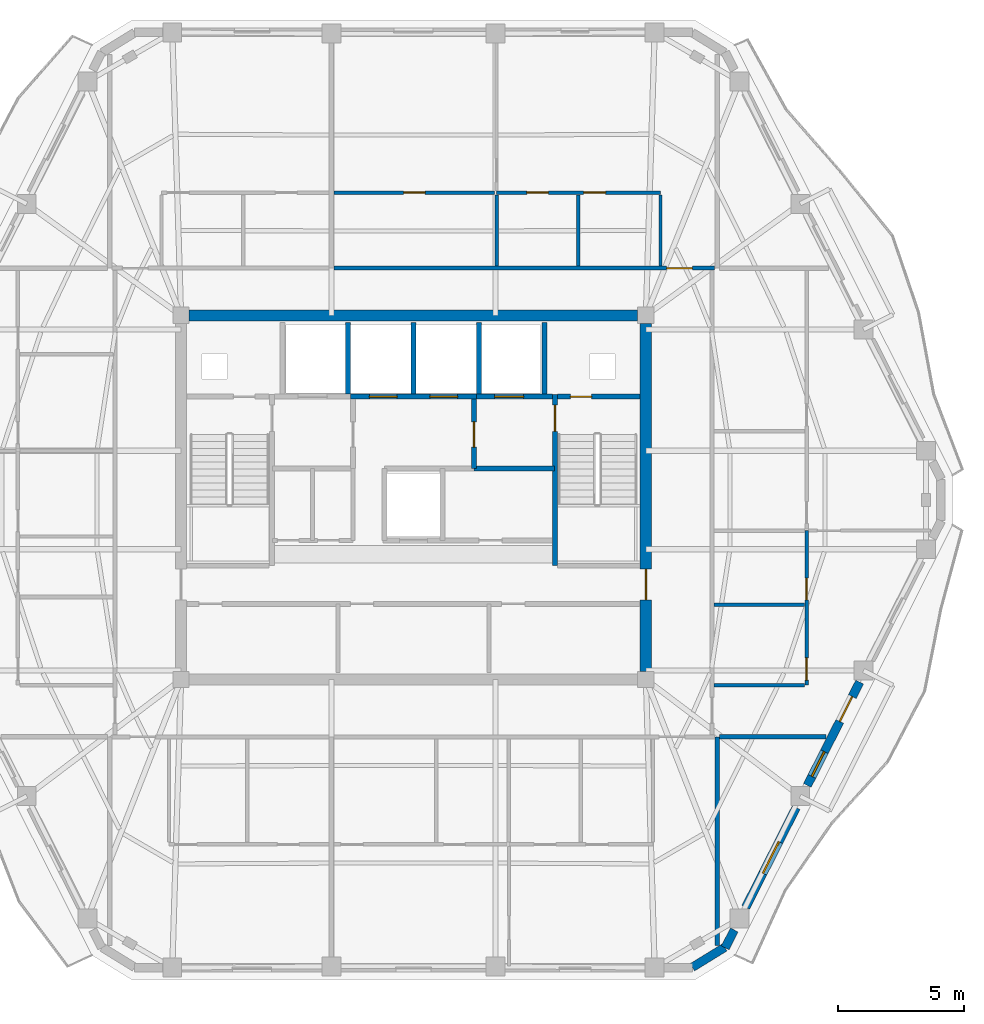
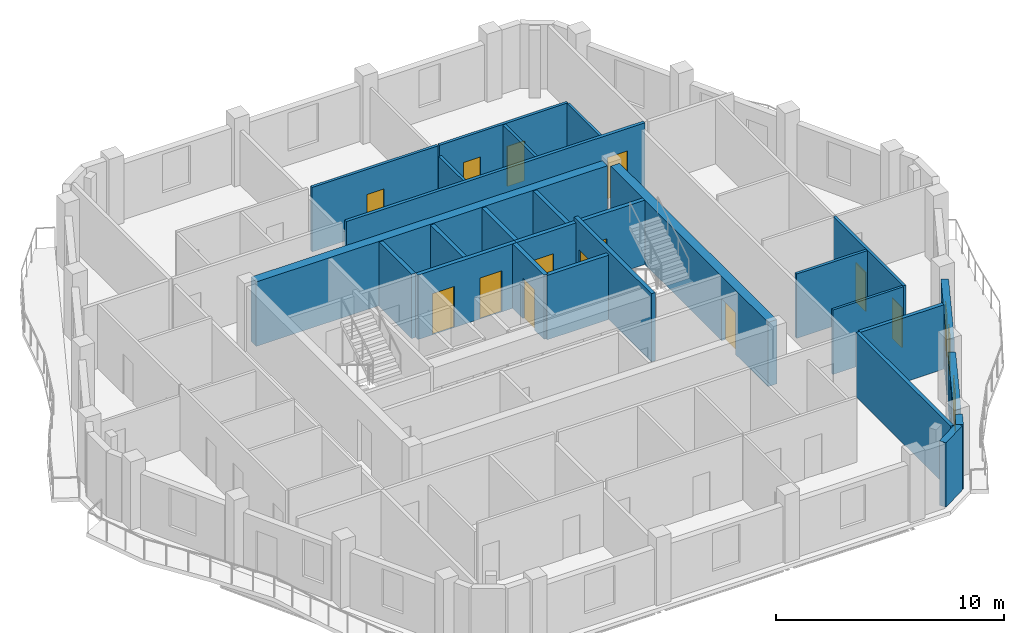
# One storey, part 6 of 12: 27 walls, 14 doors, 2 windows, 16 openings.
"""IFC4 building model written with IfcOpenShell, lengths in metres."""

from ifc_helpers import new_model, si_unit, direction, frame, frame_2d, origin, place, context, subcontext, project, spatial, rectangle, extrude, material, layer, layer_set, type_object, element, fill, save


model = new_model("IFC4")

# Units and contexts
model_context = context("Model", 3, precision=1e-05, world=origin(), true_north=direction((0.0, 1.0)))
body_context = subcontext(model_context, "Body", "Model", "MODEL_VIEW")
ifc_project = project(units=[si_unit("LENGTHUNIT", "METRE"), si_unit("AREAUNIT", "SQUARE_METRE"), si_unit("VOLUMEUNIT", "CUBIC_METRE"), si_unit("PLANEANGLEUNIT", "RADIAN"), si_unit("MASSUNIT", "GRAM", prefix="KILO")], contexts=[model_context])

# Site, building, storey
site_placement = place(None, origin())
site = spatial("IfcSite", under=ifc_project, at=site_placement, CompositionType="ELEMENT")
building_placement = place(site_placement, origin())
building = spatial("IfcBuilding", under=site, at=building_placement, Name="Cinnabar Lancet Tower", CompositionType="ELEMENT")
storey_placement = place(building_placement, frame((0.0, 0.0, 237.949951171875)))
storey = spatial("IfcBuildingStorey", under=building, at=storey_placement, Name="L63", CompositionType="ELEMENT", Elevation=237.949951171875)

# Wall, opening, door
ifc_material_1 = material(Name="Acoustic twin-stud gypsum partition", Category="gypsum")
ifc_layer_1 = layer(ifc_material_1, 0.159912109375)
ifc_layer_set_1 = layer_set([ifc_layer_1], Name="Acoustic twin-stud gypsum partition")
wall_type_1 = type_object("IfcWallType", Name="ARC-WL-CORR-160", PredefinedType="PARTITIONING", material=ifc_layer_set_1)
wall_1_placement = place(storey_placement, frame((29.240966796875, 35.0, 0.0), z_axis=(0.0, 0.0, 1.0), x_axis=(1.0, 0.0, 0.0)))
wall_1 = element("IfcWall", 1, at=wall_1_placement, inside=storey, type_object=wall_type_1, Name="L63 Unit N02 Corridor Wall", PredefinedType="PARTITIONING", context=body_context, shape_type="SweptSolid", body=[
    extrude(rectangle(XDim=15.114013671875, YDim=0.159912109375, at=frame_2d((7.55712890625, 0.0))), origin(), (0.0, 0.0, 1.0), 3.449951171875),
])
opening_1_placement = place(wall_1_placement, frame((13.208984375, 0.0, 0.0)))
opening_1 = element("IfcOpeningElement", 2, at=opening_1_placement, cuts=wall_1, Name="Opening UD-01", PredefinedType="OPENING", context=body_context, shape_type="SweptSolid", body=[
    extrude(rectangle(XDim=1.02001953125, YDim=2.25, at=frame_2d((0.510009765625, 1.125))), frame((0.0, 0.08984375, 0.0), z_axis=(0.0, -1.0, 0.0), x_axis=(1.0, 0.0, 0.0)), (0.0, 0.0, 1.0), 0.179931640625),
])
ifc_material_2 = material(Name="Solid timber fire-rated apartment entrance door", Category="wood")
door_type_1 = type_object("IfcDoorType", Name="ARC-DR-UNIT", OperationType="NOTDEFINED", PredefinedType="DOOR", material=ifc_material_2)
door_1_placement = place(opening_1_placement, origin())
door_1 = element("IfcDoor", 3, at=door_1_placement, inside=storey, type_object=door_type_1, Name="DR-L63-N02-ENT", OperationType="SINGLE_SWING_LEFT", OverallHeight=2.25, OverallWidth=1.02001953125, PredefinedType="DOOR", context=body_context, shape_type="SweptSolid", body=[
    extrude(rectangle(XDim=1.02001953125, YDim=2.25, at=frame_2d((0.510009765625, 1.125))), frame((0.0, 0.02490234375, 0.0), z_axis=(0.0, -1.0, 0.0), x_axis=(1.0, 0.0, 0.0)), (0.0, 0.0, 1.0), 0.050048828125),
])
fill(opening_1, door_1)

# Walls
ifc_material_3 = material(Name="Fire-rated twin-frame acoustic drywall", Category="gypsum")
ifc_layer_2 = layer(ifc_material_3, 0.179931640625)
ifc_layer_set_2 = layer_set([ifc_layer_2], Name="Fire-rated twin-frame acoustic drywall")
wall_type_2 = type_object("IfcWallType", Name="ARC-WL-PARTY-180", PredefinedType="PARTITIONING", material=ifc_layer_set_2)
wall_2_placement = place(storey_placement, frame((44.449951171875, 8.118896484375, 0.0), z_axis=(0.0, 0.0, 1.0), x_axis=(0.0, 1.0, 0.0)))
element("IfcWall", 4, at=wall_2_placement, inside=storey, type_object=wall_type_2, Name="PW-L63-SPTY-444", PredefinedType="PARTITIONING", context=body_context, shape_type="SweptSolid", body=[
    extrude(rectangle(XDim=8.281005859375, YDim=0.179931640625, at=frame_2d((4.140625, 0.0))), origin(), (0.0, 0.0, 1.0), 3.449951171875),
])
wall_3_placement = place(storey_placement, frame((44.544921875, 16.39990234375, 0.0), z_axis=(0.0, 0.0, 1.0), x_axis=(1.0, 0.0, 0.0)))
element("IfcWall", 5, at=wall_3_placement, inside=storey, type_object=wall_type_2, Name="PW-L63-ESB", PredefinedType="PARTITIONING", context=body_context, shape_type="SweptSolid", body=[
    extrude(rectangle(XDim=4.22119140625, YDim=0.179931640625, at=frame_2d((2.110595703125, 0.0))), origin(), (0.0, 0.0, 1.0), 3.449951171875),
])

# Wall, openings, doors
ifc_material_4 = material(Name="Autoclaved aerated concrete blockwork", Category="masonry")
ifc_layer_3 = layer(ifc_material_4, 0.199951171875)
ifc_layer_set_3 = layer_set([ifc_layer_3], Name="Autoclaved aerated concrete blockwork")
wall_type_3 = type_object("IfcWallType", Name="ARC-WL-SHAFT-200", PredefinedType="PLUMBINGWALL", material=ifc_layer_set_3)
wall_4_placement = place(storey_placement, frame((29.89990234375, 29.89990234375, 0.0), z_axis=(0.0, 0.0, 1.0), x_axis=(1.0, 0.0, 0.0)))
wall_4 = element("IfcWall", 6, at=wall_4_placement, inside=storey, type_object=wall_type_3, Name="CW-PL78-L63", PredefinedType="PLUMBINGWALL", context=body_context, shape_type="SweptSolid", body=[
    extrude(rectangle(XDim=5.0, YDim=0.199951171875, at=frame_2d((2.5, 0.0))), origin(), (0.0, 0.0, 1.0), 3.449951171875),
])
opening_2_placement = place(wall_4_placement, frame((0.75, 0.0, 0.0)))
opening_2 = element("IfcOpeningElement", 7, at=opening_2_placement, cuts=wall_4, Name="Opening LD-01", PredefinedType="OPENING", context=body_context, shape_type="SweptSolid", body=[
    extrude(rectangle(XDim=1.10009765625, YDim=2.199951171875, at=frame_2d((0.550048828125, 1.10009765625))), frame((0.0, 0.10986328125, 0.0), z_axis=(0.0, -1.0, 0.0), x_axis=(1.0, 0.0, 0.0)), (0.0, 0.0, 1.0), 0.219970703125),
])
opening_3_placement = place(wall_4_placement, frame((3.14990234375, 0.0, 0.0)))
opening_3 = element("IfcOpeningElement", 8, at=opening_3_placement, cuts=wall_4, Name="Opening LD-01", PredefinedType="OPENING", context=body_context, shape_type="SweptSolid", body=[
    extrude(rectangle(XDim=1.10009765625, YDim=2.199951171875, at=frame_2d((0.550048828125, 1.10009765625))), frame((0.0, 0.10986328125, 0.0), z_axis=(0.0, -1.0, 0.0), x_axis=(1.0, 0.0, 0.0)), (0.0, 0.0, 1.0), 0.219970703125),
])
ifc_material_5 = material(Name="Brushed stainless steel sliding lift door", Category="steel")
door_type_2 = type_object("IfcDoorType", Name="ARC-DR-LD-PASS", OperationType="NOTDEFINED", PredefinedType="DOOR", material=ifc_material_5)
door_2_placement = place(opening_2_placement, origin())
door_2 = element("IfcDoor", 9, at=door_2_placement, inside=storey, type_object=door_type_2, Name="L63 Lift PL-7 Landing Door", OperationType="DOUBLE_DOOR_SLIDING", OverallHeight=2.199951171875, OverallWidth=1.10009765625, PredefinedType="DOOR", context=body_context, shape_type="SweptSolid", body=[
    extrude(rectangle(XDim=1.10009765625, YDim=2.199951171875, at=frame_2d((0.550048828125, 1.10009765625))), frame((0.0, 0.02490234375, 0.0), z_axis=(0.0, -1.0, 0.0), x_axis=(1.0, 0.0, 0.0)), (0.0, 0.0, 1.0), 0.050048828125),
])
fill(opening_2, door_2)
door_3_placement = place(opening_3_placement, origin())
door_3 = element("IfcDoor", 10, at=door_3_placement, inside=storey, type_object=door_type_2, Name="L63 Lift PL-8 Landing Door", OperationType="DOUBLE_DOOR_SLIDING", OverallHeight=2.199951171875, OverallWidth=1.10009765625, PredefinedType="DOOR", context=body_context, shape_type="SweptSolid", body=[
    extrude(rectangle(XDim=1.10009765625, YDim=2.199951171875, at=frame_2d((0.550048828125, 1.10009765625))), frame((0.0, 0.02490234375, 0.0), z_axis=(0.0, -1.0, 0.0), x_axis=(1.0, 0.0, 0.0)), (0.0, 0.0, 1.0), 0.050048828125),
])
fill(opening_3, door_3)

# Wall, opening, door
wall_5_placement = place(storey_placement, frame((34.89990234375, 29.89990234375, 0.0), z_axis=(0.0, 0.0, 1.0), x_axis=(1.0, 0.0, 0.0)))
wall_5 = element("IfcWall", 11, at=wall_5_placement, inside=storey, type_object=wall_type_3, Name="CW-FL2-L63", PredefinedType="PLUMBINGWALL", context=body_context, shape_type="SweptSolid", body=[
    extrude(rectangle(XDim=3.01513671875, YDim=0.199951171875, at=frame_2d((1.507568359375, 0.0))), origin(), (0.0, 0.0, 1.0), 3.449951171875),
])
opening_4_placement = place(wall_5_placement, frame((0.72509765625, 0.0, 0.0)))
opening_4 = element("IfcOpeningElement", 12, at=opening_4_placement, cuts=wall_5, Name="Opening LD-02", PredefinedType="OPENING", context=body_context, shape_type="SweptSolid", body=[
    extrude(rectangle(XDim=1.14990234375, YDim=2.199951171875, at=frame_2d((0.574951171875, 1.10009765625))), frame((0.0, 0.10986328125, 0.0), z_axis=(0.0, -1.0, 0.0), x_axis=(1.0, 0.0, 0.0)), (0.0, 0.0, 1.0), 0.219970703125),
])
ifc_material_6 = material(Name="Fire-rated stainless steel firefighting lift landing door", Category="steel")
door_type_3 = type_object("IfcDoorType", Name="ARC-DR-LD-FIRE", OperationType="NOTDEFINED", PredefinedType="DOOR", material=ifc_material_6)
door_4_placement = place(opening_4_placement, origin())
door_4 = element("IfcDoor", 13, at=door_4_placement, inside=storey, type_object=door_type_3, Name="L63 Firefighting Lift FL-2 Landing Door", OperationType="DOUBLE_DOOR_SLIDING", OverallHeight=2.199951171875, OverallWidth=1.14990234375, PredefinedType="DOOR", context=body_context, shape_type="SweptSolid", body=[
    extrude(rectangle(XDim=1.14990234375, YDim=2.199951171875, at=frame_2d((0.574951171875, 1.10009765625))), frame((0.0, 0.02490234375, 0.0), z_axis=(0.0, -1.0, 0.0), x_axis=(1.0, 0.0, 0.0)), (0.0, 0.0, 1.0), 0.050048828125),
])
fill(opening_4, door_4)

wall_6_placement = place(storey_placement, frame((38.125, 29.89990234375, 0.0), z_axis=(0.0, 0.0, 1.0), x_axis=(1.0, 0.0, 0.0)))
wall_6 = element("IfcWall", 14, at=wall_6_placement, inside=storey, type_object=wall_type_3, Name="CW-NSH-E-L63", PredefinedType="PLUMBINGWALL", context=body_context, shape_type="SweptSolid", body=[
    extrude(rectangle(XDim=3.27001953125, YDim=0.199951171875, at=frame_2d((1.635009765625, 0.0))), origin(), (0.0, 0.0, 1.0), 3.449951171875),
])
opening_5_placement = place(wall_6_placement, frame((0.5, 0.0, 0.0)))
opening_5 = element("IfcOpeningElement", 15, at=opening_5_placement, cuts=wall_6, Name="Opening PD-02", PredefinedType="OPENING", context=body_context, shape_type="SweptSolid", body=[
    extrude(rectangle(XDim=0.85009765625, YDim=2.050048828125, at=frame_2d((0.425048828125, 1.02490234375))), frame((0.0, 0.10986328125, 0.0), z_axis=(0.0, -1.0, 0.0), x_axis=(1.0, 0.0, 0.0)), (0.0, 0.0, 1.0), 0.219970703125),
])
ifc_material_7 = material(Name="Fire-rated steel riser access door", Category="steel")
door_type_4 = type_object("IfcDoorType", Name="ARC-DR-RISER", OperationType="NOTDEFINED", PredefinedType="DOOR", material=ifc_material_7)
door_5_placement = place(opening_5_placement, origin())
door_5 = element("IfcDoor", 16, at=door_5_placement, inside=storey, type_object=door_type_4, Name="L63 East Riser Access Door", OperationType="SINGLE_SWING_RIGHT", OverallHeight=2.050048828125, OverallWidth=0.85009765625, PredefinedType="DOOR", context=body_context, shape_type="SweptSolid", body=[
    extrude(rectangle(XDim=0.85009765625, YDim=2.050048828125, at=frame_2d((0.425048828125, 1.02490234375))), frame((0.0, 0.02490234375, 0.0), z_axis=(0.0, -1.0, 0.0), x_axis=(1.0, 0.0, 0.0)), (0.0, 0.0, 1.0), 0.050048828125),
])
fill(opening_5, door_5)

# Walls
for number, where, z_axis, x_axis, name in (
    (17, (29.800048828125, 30.0, 0.0), (0.0, 0.0, 1.0), (0.0, 1.0, 0.0), "CW-NSH-D2-L63"),
    (18, (32.39990234375, 30.0, 0.0), (0.0, 0.0, 1.0), (0.0, 1.0, 0.0), "CW-NSH-D3-L63"),
    (19, (35.0, 30.0, 0.0), (0.0, 0.0, 1.0), (0.0, 1.0, 0.0), "CW-NSH-D4-L63"),
    (20, (37.60009765625, 30.0, 0.0), (0.0, 0.0, 1.0), (0.0, 1.0, 0.0), "CW-NSH-D5-L63"),
):
    element("IfcWall", number, at=place(storey_placement, frame(where, z_axis=z_axis, x_axis=x_axis)), inside=storey, type_object=wall_type_3, Name=name, PredefinedType="PLUMBINGWALL", context=body_context, shape_type="SweptSolid", body=[
        extrude(rectangle(XDim=2.85009765625, YDim=0.199951171875, at=frame_2d((1.425048828125, 0.0))), origin(), (0.0, 0.0, 1.0), 3.449951171875),
    ])

# Wall, opening, door
wall_7_placement = place(storey_placement, frame((34.800048828125, 27.050048828125, 0.0), z_axis=(0.0, 0.0, 1.0), x_axis=(0.0, 1.0, 0.0)))
wall_7 = element("IfcWall", 21, at=wall_7_placement, inside=storey, type_object=wall_type_3, Name="CW-FF2W-L63", PredefinedType="PLUMBINGWALL", context=body_context, shape_type="SweptSolid", body=[
    extrude(rectangle(XDim=2.75, YDim=0.199951171875, at=frame_2d((1.375, 0.0))), origin(), (0.0, 0.0, 1.0), 3.449951171875),
])
opening_6_placement = place(wall_7_placement, frame((0.85009765625, 0.0, 0.0)))
opening_6 = element("IfcOpeningElement", 22, at=opening_6_placement, cuts=wall_7, Name="Opening FD-01", PredefinedType="OPENING", context=body_context, shape_type="SweptSolid", body=[
    extrude(rectangle(XDim=1.0, YDim=2.14990234375, at=frame_2d((0.5, 1.074951171875))), frame((0.0, 0.10986328125, 0.0), z_axis=(0.0, -1.0, 0.0), x_axis=(1.0, 0.0, 0.0)), (0.0, 0.0, 1.0), 0.219970703125),
])
ifc_material_8 = material(Name="Fire-rated timber-core lobby door", Category="wood")
door_type_5 = type_object("IfcDoorType", Name="ARC-DR-FFAL", OperationType="NOTDEFINED", PredefinedType="DOOR", material=ifc_material_8)
door_6_placement = place(opening_6_placement, origin())
door_6 = element("IfcDoor", 23, at=door_6_placement, inside=storey, type_object=door_type_5, Name="L63 FFAL-2 Lobby Fire Door", OperationType="SINGLE_SWING_LEFT", OverallHeight=2.14990234375, OverallWidth=1.0, PredefinedType="DOOR", context=body_context, shape_type="SweptSolid", body=[
    extrude(rectangle(XDim=1.0, YDim=2.14990234375, at=frame_2d((0.5, 1.074951171875))), frame((0.0, 0.02490234375, 0.0), z_axis=(0.0, -1.0, 0.0), x_axis=(1.0, 0.0, 0.0)), (0.0, 0.0, 1.0), 0.050048828125),
])
fill(opening_6, door_6)

# Walls
wall_8_placement = place(storey_placement, frame((34.800048828125, 27.050048828125, 0.0), z_axis=(0.0, 0.0, 1.0), x_axis=(1.0, 0.0, 0.0)))
element("IfcWall", 24, at=wall_8_placement, inside=storey, type_object=wall_type_3, Name="CW-FF2S-L63", PredefinedType="PLUMBINGWALL", context=body_context, shape_type="SweptSolid", body=[
    extrude(rectangle(XDim=3.199951171875, YDim=0.199951171875, at=frame_2d((1.60009765625, 0.0))), origin(), (0.0, 0.0, 1.0), 3.449951171875),
])
ifc_material_9 = material(Name="Gypsum plasterboard stud partition", Category="gypsum")
ifc_layer_4 = layer(ifc_material_9, 0.125)
ifc_layer_set_4 = layer_set([ifc_layer_4], Name="Gypsum plasterboard stud partition")
wall_type_4 = type_object("IfcWallType", Name="ARC-WL-UNIT-125", PredefinedType="PARTITIONING", material=ifc_layer_set_4)
wall_9_placement = place(storey_placement, frame((42.199951171875, 35.0849609375, 0.0), z_axis=(0.0, 0.0, 1.0), x_axis=(0.0, 1.0, 0.0)))
element("IfcWall", 25, at=wall_9_placement, inside=storey, type_object=wall_type_4, Name="UW-L63-N02-FOYW", PredefinedType="PARTITIONING", context=body_context, shape_type="SweptSolid", body=[
    extrude(rectangle(XDim=2.81103515625, YDim=0.125, at=frame_2d((1.405517578125, 0.0))), origin(), (0.0, 0.0, 1.0), 3.449951171875),
])
wall_10_placement = place(storey_placement, frame((44.3349609375, 18.449951171875, 0.0), z_axis=(0.0, 0.0, 1.0), x_axis=(1.0, 0.0, 0.0)))
element("IfcWall", 26, at=wall_10_placement, inside=storey, type_object=wall_type_4, Name="UW-L63-E01-FOYN", PredefinedType="PARTITIONING", context=body_context, shape_type="SweptSolid", body=[
    extrude(rectangle(XDim=3.580078125, YDim=0.125, at=frame_2d((1.7900390625, 0.0))), origin(), (0.0, 0.0, 1.0), 3.449951171875),
])

# Wall, openings, doors
ifc_material_10 = material(Name="Moisture-resistant cement-board plumbing wall", Category="masonry")
ifc_layer_5 = layer(ifc_material_10, 0.139892578125)
ifc_layer_set_5 = layer_set([ifc_layer_5], Name="Moisture-resistant cement-board plumbing wall")
wall_type_5 = type_object("IfcWallType", Name="ARC-WL-WET-140", PredefinedType="PLUMBINGWALL", material=ifc_layer_set_5)
wall_11_placement = place(storey_placement, frame((35.697021484375, 38.0009765625, 0.0), z_axis=(0.0, 0.0, 1.0), x_axis=(1.0, 0.0, 0.0)))
wall_11 = element("IfcWall", 27, at=wall_11_placement, inside=storey, type_object=wall_type_5, Name="UW-L63-N02-SPL", PredefinedType="PLUMBINGWALL", context=body_context, shape_type="SweptSolid", body=[
    extrude(rectangle(XDim=6.5029296875, YDim=0.139892578125, at=frame_2d((3.25146484375, 0.0))), origin(), (0.0, 0.0, 1.0), 3.449951171875),
])
opening_7_placement = place(wall_11_placement, frame((1.200927734375, 0.0, 0.0)))
opening_7 = element("IfcOpeningElement", 28, at=opening_7_placement, cuts=wall_11, Name="Opening BD-01", PredefinedType="OPENING", context=body_context, shape_type="SweptSolid", body=[
    extrude(rectangle(XDim=0.860107421875, YDim=2.10009765625, at=frame_2d((0.43017578125, 1.050048828125))), frame((0.0, 0.079833984375, 0.0), z_axis=(0.0, -1.0, 0.0), x_axis=(1.0, 0.0, 0.0)), (0.0, 0.0, 1.0), 0.159912109375),
])
opening_8_placement = place(wall_11_placement, frame((3.451904296875, 0.0, 0.0)))
opening_8 = element("IfcOpeningElement", 29, at=opening_8_placement, cuts=wall_11, Name="Opening RD-02", PredefinedType="OPENING", context=body_context, shape_type="SweptSolid", body=[
    extrude(rectangle(XDim=0.8798828125, YDim=2.14990234375, at=frame_2d((0.43994140625, 1.074951171875))), frame((0.0, 0.079833984375, 0.0), z_axis=(0.0, -1.0, 0.0), x_axis=(1.0, 0.0, 0.0)), (0.0, 0.0, 1.0), 0.159912109375),
])
ifc_material_11 = material(Name="Moisture-resistant timber bathroom door", Category="wood")
door_type_6 = type_object("IfcDoorType", Name="ARC-DR-BATH", OperationType="NOTDEFINED", PredefinedType="DOOR", material=ifc_material_11)
door_7_placement = place(opening_7_placement, origin())
door_7 = element("IfcDoor", 30, at=door_7_placement, inside=storey, type_object=door_type_6, Name="DR-L63-N02-BTH", OperationType="SINGLE_SWING_RIGHT", OverallHeight=2.10009765625, OverallWidth=0.860107421875, PredefinedType="DOOR", context=body_context, shape_type="SweptSolid", body=[
    extrude(rectangle(XDim=0.860107421875, YDim=2.10009765625, at=frame_2d((0.43017578125, 1.050048828125))), frame((0.0, 0.02490234375, 0.0), z_axis=(0.0, -1.0, 0.0), x_axis=(1.0, 0.0, 0.0)), (0.0, 0.0, 1.0), 0.050048828125),
])
fill(opening_7, door_7)
ifc_material_12 = material(Name="Engineered timber study door", Category="wood")
door_type_7 = type_object("IfcDoorType", Name="ARC-DR-STUDY", OperationType="NOTDEFINED", PredefinedType="DOOR", material=ifc_material_12)
door_8_placement = place(opening_8_placement, origin())
door_8 = element("IfcDoor", 31, at=door_8_placement, inside=storey, type_object=door_type_7, Name="DR-L63-N02-KIT", OperationType="SINGLE_SWING_LEFT", OverallHeight=2.14990234375, OverallWidth=0.8798828125, PredefinedType="DOOR", context=body_context, shape_type="SweptSolid", body=[
    extrude(rectangle(XDim=0.8798828125, YDim=2.14990234375, at=frame_2d((0.43994140625, 1.074951171875))), frame((0.0, 0.02490234375, 0.0), z_axis=(0.0, -1.0, 0.0), x_axis=(1.0, 0.0, 0.0)), (0.0, 0.0, 1.0), 0.050048828125),
])
fill(opening_8, door_8)

# Wall, opening, door
wall_12_placement = place(storey_placement, frame((29.240966796875, 38.0009765625, 0.0), z_axis=(0.0, 0.0, 1.0), x_axis=(1.0, 0.0, 0.0)))
wall_12 = element("IfcWall", 32, at=wall_12_placement, inside=storey, type_object=wall_type_5, Name="UW-L63-N02-SPM", PredefinedType="PLUMBINGWALL", context=body_context, shape_type="SweptSolid", body=[
    extrude(rectangle(XDim=6.381103515625, YDim=0.139892578125, at=frame_2d((3.1904296875, 0.0))), origin(), (0.0, 0.0, 1.0), 3.449951171875),
])
opening_9_placement = place(wall_12_placement, frame((2.76611328125, 0.0, 0.0)))
opening_9 = element("IfcOpeningElement", 33, at=opening_9_placement, cuts=wall_12, Name="Opening BD-01", PredefinedType="OPENING", context=body_context, shape_type="SweptSolid", body=[
    extrude(rectangle(XDim=0.860107421875, YDim=2.10009765625, at=frame_2d((0.43017578125, 1.050048828125))), frame((0.0, 0.079833984375, 0.0), z_axis=(0.0, -1.0, 0.0), x_axis=(1.0, 0.0, 0.0)), (0.0, 0.0, 1.0), 0.159912109375),
])
door_9_placement = place(opening_9_placement, origin())
door_9 = element("IfcDoor", 34, at=door_9_placement, inside=storey, type_object=door_type_6, Name="DR-L63-N02-ENS", OperationType="SINGLE_SWING_LEFT", OverallHeight=2.10009765625, OverallWidth=0.860107421875, PredefinedType="DOOR", context=body_context, shape_type="SweptSolid", body=[
    extrude(rectangle(XDim=0.860107421875, YDim=2.10009765625, at=frame_2d((0.43017578125, 1.050048828125))), frame((0.0, 0.02490234375, 0.0), z_axis=(0.0, -1.0, 0.0), x_axis=(1.0, 0.0, 0.0)), (0.0, 0.0, 1.0), 0.050048828125),
])
fill(opening_9, door_9)

# Walls
wall_13_placement = place(storey_placement, frame((38.948974609375, 35.0849609375, 0.0), z_axis=(0.0, 0.0, 1.0), x_axis=(0.0, 1.0, 0.0)))
element("IfcWall", 35, at=wall_13_placement, inside=storey, type_object=wall_type_5, Name="UW-L63-N02-KBD", PredefinedType="PLUMBINGWALL", context=body_context, shape_type="SweptSolid", body=[
    extrude(rectangle(XDim=2.81103515625, YDim=0.139892578125, at=frame_2d((1.405517578125, 0.0))), origin(), (0.0, 0.0, 1.0), 3.449951171875),
])
wall_14_placement = place(storey_placement, frame((35.697021484375, 35.0849609375, 0.0), z_axis=(0.0, 0.0, 1.0), x_axis=(0.0, 1.0, 0.0)))
element("IfcWall", 36, at=wall_14_placement, inside=storey, type_object=wall_type_5, Name="UW-L63-N02-ENSW", PredefinedType="PLUMBINGWALL", context=body_context, shape_type="SweptSolid", body=[
    extrude(rectangle(XDim=2.81103515625, YDim=0.139892578125, at=frame_2d((1.405517578125, 0.0))), origin(), (0.0, 0.0, 1.0), 2.906982421875),
])

# Wall, openings, doors
wall_15_placement = place(storey_placement, frame((48.0, 18.449951171875, 0.0), z_axis=(0.0, 0.0, 1.0), x_axis=(0.0, 1.0, 0.0)))
wall_15 = element("IfcWall", 37, at=wall_15_placement, inside=storey, type_object=wall_type_5, Name="UW-L63-E01-SPL", PredefinedType="PLUMBINGWALL", context=body_context, shape_type="SweptSolid", body=[
    extrude(rectangle(XDim=6.134033203125, YDim=0.139892578125, at=frame_2d((3.06689453125, 0.0))), origin(), (0.0, 0.0, 1.0), 3.449951171875),
])
opening_10_placement = place(wall_15_placement, frame((0.199951171875, 0.0, 0.0)))
opening_10 = element("IfcOpeningElement", 38, at=opening_10_placement, cuts=wall_15, Name="Opening RD-02", PredefinedType="OPENING", context=body_context, shape_type="SweptSolid", body=[
    extrude(rectangle(XDim=0.8798828125, YDim=2.14990234375, at=frame_2d((0.43994140625, 1.074951171875))), frame((0.0, 0.079833984375, 0.0), z_axis=(0.0, -1.0, 0.0), x_axis=(1.0, 0.0, 0.0)), (0.0, 0.0, 1.0), 0.159912109375),
])
opening_11_placement = place(wall_15_placement, frame((3.389892578125, 0.0, 0.0)))
opening_11 = element("IfcOpeningElement", 39, at=opening_11_placement, cuts=wall_15, Name="Opening BD-01", PredefinedType="OPENING", context=body_context, shape_type="SweptSolid", body=[
    extrude(rectangle(XDim=0.860107421875, YDim=2.10009765625, at=frame_2d((0.43017578125, 1.050048828125))), frame((0.0, 0.079833984375, 0.0), z_axis=(0.0, -1.0, 0.0), x_axis=(1.0, 0.0, 0.0)), (0.0, 0.0, 1.0), 0.159912109375),
])
door_10_placement = place(opening_11_placement, origin())
door_10 = element("IfcDoor", 40, at=door_10_placement, inside=storey, type_object=door_type_6, Name="DR-L63-E01-BTH", OperationType="SINGLE_SWING_RIGHT", OverallHeight=2.10009765625, OverallWidth=0.860107421875, PredefinedType="DOOR", context=body_context, shape_type="SweptSolid", body=[
    extrude(rectangle(XDim=0.860107421875, YDim=2.10009765625, at=frame_2d((0.43017578125, 1.050048828125))), frame((0.0, 0.02490234375, 0.0), z_axis=(0.0, -1.0, 0.0), x_axis=(1.0, 0.0, 0.0)), (0.0, 0.0, 1.0), 0.050048828125),
])
fill(opening_11, door_10)
door_11_placement = place(opening_10_placement, origin())
door_11 = element("IfcDoor", 41, at=door_11_placement, inside=storey, type_object=door_type_7, Name="DR-L63-E01-KIT", OperationType="SINGLE_SWING_LEFT", OverallHeight=2.14990234375, OverallWidth=0.8798828125, PredefinedType="DOOR", context=body_context, shape_type="SweptSolid", body=[
    extrude(rectangle(XDim=0.8798828125, YDim=2.14990234375, at=frame_2d((0.43994140625, 1.074951171875))), frame((0.0, 0.02490234375, 0.0), z_axis=(0.0, -1.0, 0.0), x_axis=(1.0, 0.0, 0.0)), (0.0, 0.0, 1.0), 0.050048828125),
])
fill(opening_10, door_11)

# Walls
wall_16_placement = place(storey_placement, frame((44.3349609375, 21.639892578125, 0.0), z_axis=(0.0, 0.0, 1.0), x_axis=(1.0, 0.0, 0.0)))
element("IfcWall", 42, at=wall_16_placement, inside=storey, type_object=wall_type_5, Name="UW-L63-E01-KDV", PredefinedType="PLUMBINGWALL", context=body_context, shape_type="SweptSolid", body=[
    extrude(rectangle(XDim=3.580078125, YDim=0.139892578125, at=frame_2d((1.7900390625, 0.0))), origin(), (0.0, 0.0, 1.0), 3.449951171875),
])
ifc_material_13 = material(Name="Cinnabar red clay brick", Category="masonry")
ifc_layer_6 = layer(ifc_material_13, 0.340087890625)
ifc_layer_set_6 = layer_set([ifc_layer_6], Name="Cinnabar red clay brick")
wall_type_6 = type_object("IfcWallType", Name="ENV-WL-BRK-RED-340", PredefinedType="STANDARD", material=ifc_layer_set_6)
wall_17_placement = place(storey_placement, frame((43.468994140625, 7.2548828125, 0.0), z_axis=(0.0, 0.0, 1.0), x_axis=(0.851680557619, 0.52406128246, 0.0)))
element("IfcWall", 43, at=wall_17_placement, inside=storey, type_object=wall_type_6, Name="L63 Chamfered Corner Brick Pier 2.1", PredefinedType="STANDARD", context=body_context, shape_type="SweptSolid", body=[
    extrude(rectangle(XDim=1.507568359375, YDim=0.340087890625, at=frame_2d((0.75390625, 0.0))), origin(), (0.0, 0.0, 1.0), 3.449951171875),
])
wall_18_placement = place(storey_placement, frame((44.77294921875, 8.029052734375, 0.0), z_axis=(0.0, 0.0, 1.0), x_axis=(0.451159191899, 0.892443490404, 0.0)))
element("IfcWall", 44, at=wall_18_placement, inside=storey, type_object=wall_type_6, Name="L63 Face 2 Masonry Bay Wall 1", PredefinedType="STANDARD", context=body_context, shape_type="SweptSolid", body=[
    extrude(rectangle(XDim=0.791259765625, YDim=0.340087890625, at=frame_2d((0.3955078125, 0.0))), origin(), (0.0, 0.0, 1.0), 3.449951171875),
])

# Wall, opening, window
wall_19_placement = place(storey_placement, frame((45.5859375, 9.636962890625, 0.0), z_axis=(0.0, 0.0, 1.0), x_axis=(0.451440846853, 0.892301048858, 0.0)))
wall_19 = element("IfcWall", 45, at=wall_19_placement, inside=storey, type_object=wall_type_6, Name="L63 Face 2 Masonry Bay Wall 2", PredefinedType="STANDARD", context=body_context, shape_type="SweptSolid", body=[
    extrude(rectangle(XDim=4.43017578125, YDim=0.340087890625, at=frame_2d((2.215087890625, 0.0))), origin(), (0.0, 0.0, 1.0), 2.983154296875),
])
opening_12_placement = place(wall_19_placement, frame((1.514892578125, 0.0, 0.75)))
opening_12 = element("IfcOpeningElement", 46, at=opening_12_placement, cuts=wall_19, Name="Opening WN-02", PredefinedType="OPENING", context=body_context, shape_type="SweptSolid", body=[
    extrude(rectangle(XDim=1.39990234375, YDim=2.050048828125, at=frame_2d((0.699951171875, 1.02490234375))), frame((0.0, 0.179931640625, 0.0), z_axis=(0.0, -1.0, 0.0), x_axis=(1.0, 0.0, 0.0)), (0.0, 0.0, 1.0), 0.360107421875),
])
ifc_material_14 = material(Name="Thermally broken bronze-anodized aluminium low-E double glazing", Category="aluminium")
window_type_1 = type_object("IfcWindowType", Name="ENV-WN-LANCET-1400", PartitioningType="SINGLE_PANEL", PredefinedType="WINDOW", material=ifc_material_14)
window_1_placement = place(opening_12_placement, origin())
window_1 = element("IfcWindow", 47, at=window_1_placement, inside=storey, type_object=window_type_1, Name="L63 Face 2 Gothic Lancet Window 2", OverallHeight=2.050048828125, OverallWidth=1.39990234375, PartitioningType="SINGLE_PANEL", PredefinedType="WINDOW", context=body_context, shape_type="SweptSolid", body=[
    extrude(rectangle(XDim=1.39990234375, YDim=2.050048828125, at=frame_2d((0.699951171875, 1.02490234375))), frame((0.0, 0.030029296875, 0.0), z_axis=(0.0, -1.0, 0.0), x_axis=(1.0, 0.0, 0.0)), (0.0, 0.0, 1.0), 0.06005859375),
])
fill(opening_12, window_1)

# Wall, openings, door, window
wall_20_placement = place(storey_placement, frame((48.031982421875, 14.472900390625, 0.0), z_axis=(0.0, 0.0, 1.0), x_axis=(0.451539564999, 0.892251097641, 0.0)))
wall_20 = element("IfcWall", 48, at=wall_20_placement, inside=storey, type_object=wall_type_6, Name="L63 Face 2 Masonry Bay Wall 3", PredefinedType="STANDARD", context=body_context, shape_type="SweptSolid", body=[
    extrude(rectangle(XDim=4.599609375, YDim=0.340087890625, at=frame_2d((2.2998046875, 0.0))), origin(), (0.0, 0.0, 1.0), 2.983154296875),
])
opening_13_placement = place(wall_20_placement, frame((2.845947265625, 0.0, 0.0)))
opening_13 = element("IfcOpeningElement", 49, at=opening_13_placement, cuts=wall_20, Name="Opening TD-01", PredefinedType="OPENING", context=body_context, shape_type="SweptSolid", body=[
    extrude(rectangle(XDim=1.10009765625, YDim=2.25, at=frame_2d((0.550048828125, 1.125))), frame((0.0, 0.179931640625, 0.0), z_axis=(0.0, -1.0, 0.0), x_axis=(1.0, 0.0, 0.0)), (0.0, 0.0, 1.0), 0.360107421875),
])
opening_14_placement = place(wall_20_placement, frame((0.39990234375, 0.0, 0.75)))
opening_14 = element("IfcOpeningElement", 50, at=opening_14_placement, cuts=wall_20, Name="Opening WN-04", PredefinedType="OPENING", context=body_context, shape_type="SweptSolid", body=[
    extrude(rectangle(XDim=1.10009765625, YDim=2.0, at=frame_2d((0.550048828125, 1.0))), frame((0.0, 0.179931640625, 0.0), z_axis=(0.0, -1.0, 0.0), x_axis=(1.0, 0.0, 0.0)), (0.0, 0.0, 1.0), 0.360107421875),
])
ifc_material_15 = material(Name="Thermally broken low-E glazed balcony terrace door", Category="wood")
door_type_8 = type_object("IfcDoorType", Name="ARC-DR-BALC", OperationType="NOTDEFINED", PredefinedType="DOOR", material=ifc_material_15)
door_12_placement = place(opening_13_placement, origin())
door_12 = element("IfcDoor", 51, at=door_12_placement, inside=storey, type_object=door_type_8, Name="L63 Face 2 Glazed Terrace Door", OperationType="SINGLE_SWING_LEFT", OverallHeight=2.25, OverallWidth=1.10009765625, PredefinedType="DOOR", context=body_context, shape_type="SweptSolid", body=[
    extrude(rectangle(XDim=1.10009765625, YDim=2.25, at=frame_2d((0.550048828125, 1.125))), frame((0.0, 0.02490234375, 0.0), z_axis=(0.0, -1.0, 0.0), x_axis=(1.0, 0.0, 0.0)), (0.0, 0.0, 1.0), 0.050048828125),
])
fill(opening_13, door_12)
ifc_material_16 = material(Name="Thermally broken bronze-anodized aluminium tall lancet window", Category="aluminium")
window_type_2 = type_object("IfcWindowType", Name="ENV-WN-LANCET-1100", PartitioningType="SINGLE_PANEL", PredefinedType="WINDOW", material=ifc_material_16)
window_2_placement = place(opening_14_placement, origin())
window_2 = element("IfcWindow", 52, at=window_2_placement, inside=storey, type_object=window_type_2, Name="L63 Split-Bay Gothic Lancet Window 219", OverallHeight=2.0, OverallWidth=1.10009765625, PartitioningType="SINGLE_PANEL", PredefinedType="WINDOW", context=body_context, shape_type="SweptSolid", body=[
    extrude(rectangle(XDim=1.10009765625, YDim=2.0, at=frame_2d((0.550048828125, 1.0))), frame((0.0, 0.030029296875, 0.0), z_axis=(0.0, -1.0, 0.0), x_axis=(1.0, 0.0, 0.0)), (0.0, 0.0, 1.0), 0.06005859375),
])
fill(opening_14, window_2)

# Wall
ifc_material_17 = material(Name="Concrete C50/60", Category="concrete")
ifc_layer_7 = layer(ifc_material_17, 0.449951171875)
ifc_layer_set_7 = layer_set([ifc_layer_7], Name="Concrete C50/60")
wall_type_7 = type_object("IfcWallType", Name="STR-WL-CORE-450", PredefinedType="SHEAR", material=ifc_layer_set_7)
wall_21_placement = place(storey_placement, frame((23.5, 33.125, 0.0), z_axis=(0.0, 0.0, 1.0), x_axis=(1.0, 0.0, 0.0)))
element("IfcWall", 53, at=wall_21_placement, inside=storey, type_object=wall_type_7, Name="L63 Core Shear Wall N", PredefinedType="SHEAR", context=body_context, shape_type="SweptSolid", body=[
    extrude(rectangle(XDim=17.800048828125, YDim=0.449951171875, at=frame_2d((8.89990234375, 0.0))), origin(), (0.0, 0.0, 1.0), 3.449951171875),
])

# Wall, opening, door
wall_22_placement = place(storey_placement, frame((41.625, 19.0, 0.0), z_axis=(0.0, 0.0, 1.0), x_axis=(0.0, 1.0, 0.0)))
wall_22 = element("IfcWall", 54, at=wall_22_placement, inside=storey, type_object=wall_type_7, Name="L63 Core Shear Wall E", PredefinedType="SHEAR", context=body_context, shape_type="SweptSolid", body=[
    extrude(rectangle(XDim=13.800048828125, YDim=0.449951171875, at=frame_2d((6.89990234375, 0.0))), origin(), (0.0, 0.0, 1.0), 3.449951171875),
])
opening_15_placement = place(wall_22_placement, frame((2.840087890625, 0.0, 0.0)))
opening_15 = element("IfcOpeningElement", 55, at=opening_15_placement, cuts=wall_22, Name="Opening FD-02", PredefinedType="OPENING", context=body_context, shape_type="SweptSolid", body=[
    extrude(rectangle(XDim=1.219970703125, YDim=2.25, at=frame_2d((0.60986328125, 1.125))), frame((0.0, 0.23486328125, 0.0), z_axis=(0.0, -1.0, 0.0), x_axis=(1.0, 0.0, 0.0)), (0.0, 0.0, 1.0), 0.469970703125),
])
ifc_material_18 = material(Name="Fire-rated double-vision core portal door", Category="wood")
door_type_9 = type_object("IfcDoorType", Name="ARC-DR-CPORT", OperationType="NOTDEFINED", PredefinedType="DOOR", material=ifc_material_18)
door_13_placement = place(opening_15_placement, origin())
door_13 = element("IfcDoor", 56, at=door_13_placement, inside=storey, type_object=door_type_9, Name="L63 East Core Lobby Fire Door", OperationType="SINGLE_SWING_LEFT", OverallHeight=2.25, OverallWidth=1.219970703125, PredefinedType="DOOR", context=body_context, shape_type="SweptSolid", body=[
    extrude(rectangle(XDim=1.219970703125, YDim=2.25, at=frame_2d((0.60986328125, 1.125))), frame((0.0, 0.02490234375, 0.0), z_axis=(0.0, -1.0, 0.0), x_axis=(1.0, 0.0, 0.0)), (0.0, 0.0, 1.0), 0.050048828125),
])
fill(opening_15, door_13)

ifc_material_19 = material(Name="Concrete C50/60", Category="concrete")
ifc_layer_8 = layer(ifc_material_19, 0.199951171875)
ifc_layer_set_8 = layer_set([ifc_layer_8], Name="Concrete C50/60")
wall_type_8 = type_object("IfcWallType", Name="STR-WL-STAIR-200", PredefinedType="SHEAR", material=ifc_layer_set_8)
wall_23_placement = place(storey_placement, frame((38.02001953125, 23.199951171875, 0.0), z_axis=(0.0, 0.0, 1.0), x_axis=(0.0, 1.0, 0.0)))
wall_23 = element("IfcWall", 57, at=wall_23_placement, inside=storey, type_object=wall_type_8, Name="L63 Stair ST-2 Structural Enclosure Wall", PredefinedType="SHEAR", context=body_context, shape_type="SweptSolid", body=[
    extrude(rectangle(XDim=6.780029296875, YDim=0.199951171875, at=frame_2d((3.39013671875, 0.0))), origin(), (0.0, 0.0, 1.0), 3.650146484375),
])
opening_16_placement = place(wall_23_placement, frame((5.320068359375, 0.0, 0.0)))
opening_16 = element("IfcOpeningElement", 58, at=opening_16_placement, cuts=wall_23, Name="Opening SD-01", PredefinedType="OPENING", context=body_context, shape_type="SweptSolid", body=[
    extrude(rectangle(XDim=1.050048828125, YDim=2.14990234375, at=frame_2d((0.52490234375, 1.074951171875))), frame((0.0, 0.10986328125, 0.0), z_axis=(0.0, -1.0, 0.0), x_axis=(1.0, 0.0, 0.0)), (0.0, 0.0, 1.0), 0.219970703125),
])
ifc_material_20 = material(Name="Fire-rated steel stair exit door", Category="steel")
door_type_10 = type_object("IfcDoorType", Name="ARC-DR-STAIR", OperationType="NOTDEFINED", PredefinedType="DOOR", material=ifc_material_20)
door_14_placement = place(opening_16_placement, origin())
door_14 = element("IfcDoor", 59, at=door_14_placement, inside=storey, type_object=door_type_10, Name="L63 Stair ST-2 Fire Door", OperationType="SINGLE_SWING_RIGHT", OverallHeight=2.14990234375, OverallWidth=1.050048828125, PredefinedType="DOOR", context=body_context, shape_type="SweptSolid", body=[
    extrude(rectangle(XDim=1.050048828125, YDim=2.14990234375, at=frame_2d((0.52490234375, 1.074951171875))), frame((0.0, 0.02490234375, 0.0), z_axis=(0.0, -1.0, 0.0), x_axis=(1.0, 0.0, 0.0)), (0.0, 0.0, 1.0), 0.050048828125),
])
fill(opening_16, door_14)

save(model, "model.ifc")
